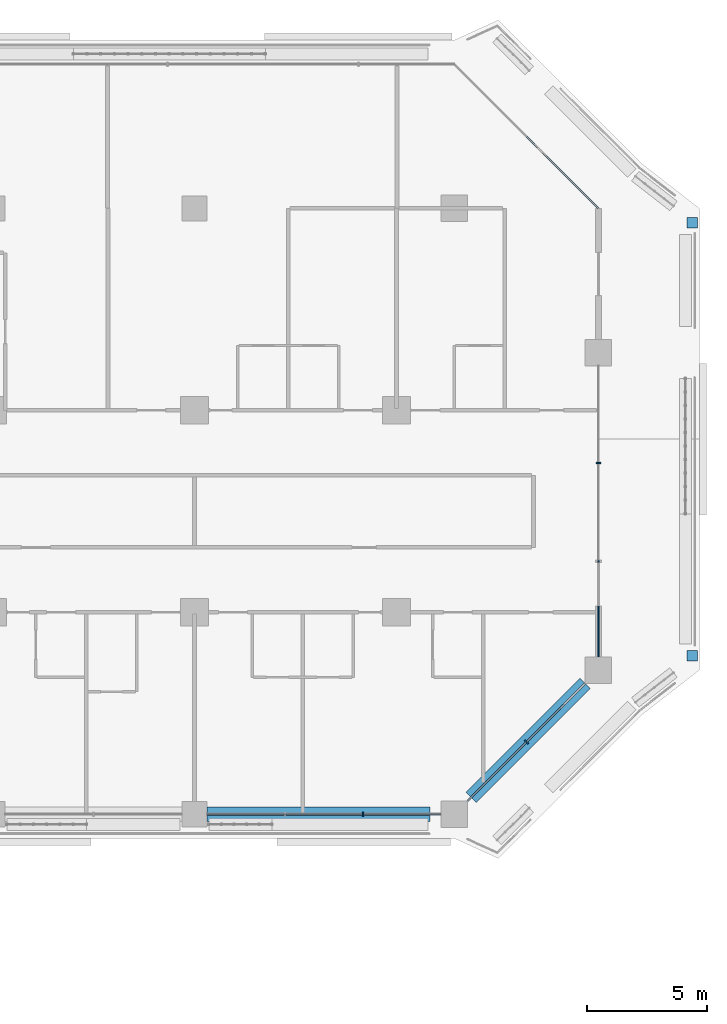
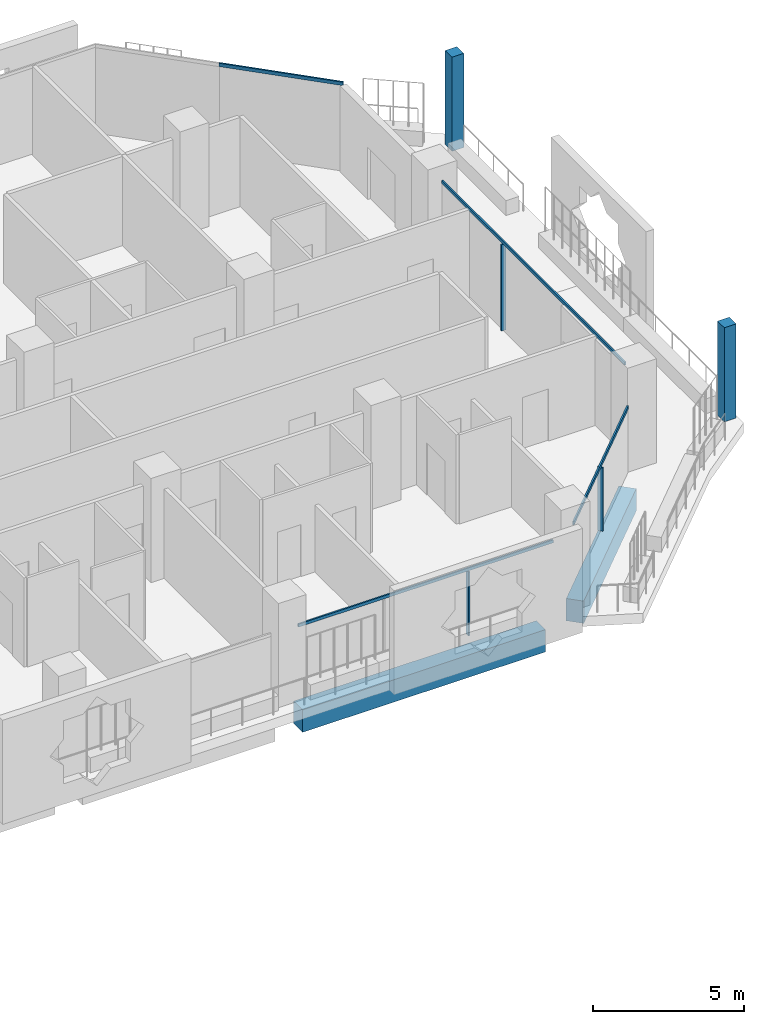
# One storey, part 7 of 26: 9 members, 2 beams, 5 elements without a shape of their own.
"""IFC4 building model written with IfcOpenShell, lengths in metres."""

import ifcopenshell
import ifcopenshell.guid

model = None  # the IFC model being written
_history = None  # IfcOwnerHistory: only IFC2X3 demands one
_inside = {}  # id of a spatial element -> (the spatial element, [elements in it])
_under = {}  # id of a project, library or spatial element -> (it, [spatial elements below it])
_declared = {}  # id of a project -> (the project, [libraries it declares])
_typed = {}  # id of a type object -> (the type object, [elements of that type])
_made_of = {}  # id of a material, layer set ... -> (it, [elements and type objects made of it])


def new_model(schema):
    """Start an empty IFC model of exactly this schema.

    Asked for "IFC4X3", IfcOpenShell would pick the latest addendum, in which some entities
    have other attributes; the version numbers below select the first issue.
    IFC2X3 requires an IfcOwnerHistory on every rooted entity: one is made here for all.
    """
    global model, _history
    if schema == "IFC4X3":
        model = ifcopenshell.file(schema_version=(4, 3, 0, 0))
    else:
        model = ifcopenshell.file(schema=schema)
    _inside.clear()
    _under.clear()
    _declared.clear()
    _typed.clear()
    _made_of.clear()
    _history = None
    if model.schema == "IFC2X3":
        org = make("IfcOrganization", Name="unknown")
        user = make(
            "IfcPersonAndOrganization",
            ThePerson=make("IfcPerson", FamilyName="unknown"),
            TheOrganization=org,
        )
        app = make(
            "IfcApplication",
            ApplicationDeveloper=org,
            Version="unknown",
            ApplicationFullName="unknown",
            ApplicationIdentifier="unknown",
        )
        _history = make(
            "IfcOwnerHistory",
            OwningUser=user,
            OwningApplication=app,
            ChangeAction="ADDED",
            CreationDate=0,
        )
    return model


def make(cls, **values):
    """One entity of the class cls with the attributes given. An attribute that is None is left unset."""
    return model.create_entity(
        cls, **{name: value for name, value in values.items() if value is not None}
    )


def rooted(cls, **values):
    """An entity with a GlobalId (a new one), such as an element, a storey or a relation."""
    return make(cls, GlobalId=ifcopenshell.guid.new(), OwnerHistory=_history, **values)


def si_unit(unit_type, name, prefix=None):
    """IfcSIUnit, for example si_unit("LENGTHUNIT", "METRE", prefix="MILLI")."""
    return make("IfcSIUnit", UnitType=unit_type, Prefix=prefix, Name=name)


def assignment(units):
    """IfcUnitAssignment: the units of a project."""
    return None if units is None else make("IfcUnitAssignment", Units=units)


def point(xyz):
    """IfcCartesianPoint."""
    return None if xyz is None else make("IfcCartesianPoint", Coordinates=xyz)


def direction(xyz):
    """IfcDirection."""
    return None if xyz is None else make("IfcDirection", DirectionRatios=xyz)


def frame(location, z_axis=None, x_axis=None):
    """IfcAxis2Placement3D, a coordinate frame: its origin and axes. An axis left out is left unset."""
    return make(
        "IfcAxis2Placement3D",
        Location=point(location),
        Axis=direction(z_axis),
        RefDirection=direction(x_axis),
    )


def frame_2d(location, x_axis=None):
    """IfcAxis2Placement2D, a coordinate frame in the plane: its origin and x axis."""
    return make(
        "IfcAxis2Placement2D", Location=point(location), RefDirection=direction(x_axis)
    )


def origin():
    """The frame at (0, 0, 0) with its axes left unset."""
    return frame((0.0, 0.0, 0.0))


def origin_2d():
    """The frame at (0, 0) in the plane with its x axis left unset."""
    return frame_2d((0.0, 0.0))


def place(relative_to, where):
    """IfcLocalPlacement: puts the frame where relative to a parent placement (None: the world)."""
    return make(
        "IfcLocalPlacement", PlacementRelTo=relative_to, RelativePlacement=where
    )


def context(
    kind, dimensions, precision=None, world=None, true_north=None, identifier=None
):
    """IfcGeometricRepresentationContext, for example the 3D "Model" context."""
    return make(
        "IfcGeometricRepresentationContext",
        ContextIdentifier=identifier,
        ContextType=kind,
        CoordinateSpaceDimension=dimensions,
        Precision=precision,
        WorldCoordinateSystem=world,
        TrueNorth=true_north,
    )


def subcontext(parent, identifier, kind, view, scale=None):
    """IfcGeometricRepresentationSubContext, for example "Body" below "Model"."""
    return make(
        "IfcGeometricRepresentationSubContext",
        ContextIdentifier=identifier,
        ContextType=kind,
        ParentContext=parent,
        TargetScale=scale,
        TargetView=view,
    )


def project(units=None, contexts=None):
    """IfcProject with its units and contexts."""
    return rooted(
        "IfcProject",
        Name="project",
        RepresentationContexts=contexts,
        UnitsInContext=assignment(units),
    )


def spatial(cls, under=None, at=None, **own):
    """A site, building, storey or space (cls), placed at a placement, below another one or the project."""
    s = rooted(cls, ObjectPlacement=at, **own)
    if under is not None:
        _under.setdefault(under.id(), (under, []))[1].append(s)
    return s


def profile(cls, at=None, kind="AREA", **sizes):
    """A parametric profile (cls). Its sizes go by their IFC names, for example OverallWidth=200.0."""
    return make(cls, ProfileType=kind, Position=at, **sizes)


def rectangle(**sizes):
    """IfcRectangleProfileDef."""
    return profile("IfcRectangleProfileDef", **sizes)


def extrude(swept, where, along, depth):
    """IfcExtrudedAreaSolid: the profile swept, set in the frame where, extruded along a direction by depth."""
    return make(
        "IfcExtrudedAreaSolid",
        SweptArea=swept,
        Position=where,
        ExtrudedDirection=direction(along),
        Depth=depth,
    )


def shape(context_of_items, identifier, shape_type, items):
    """IfcShapeRepresentation: the items that make up one representation, for example the "Body"."""
    return make(
        "IfcShapeRepresentation",
        ContextOfItems=context_of_items,
        RepresentationIdentifier=identifier,
        RepresentationType=shape_type,
        Items=items,
    )


def material(Name=None, Category=None):
    """IfcMaterial."""
    return make("IfcMaterial", Name=Name, Category=Category)


def layer(
    of_material, thickness, ventilated=None, Name=None, Category=None, Priority=None
):
    """IfcMaterialLayer: one layer of a wall or slab, of a material (None: an air gap)."""
    return make(
        "IfcMaterialLayer",
        Material=of_material,
        LayerThickness=thickness,
        IsVentilated=ventilated,
        Name=Name,
        Category=Category,
        Priority=Priority,
    )


def layer_set(layers, Name=None):
    """IfcMaterialLayerSet."""
    return make("IfcMaterialLayerSet", MaterialLayers=layers, LayerSetName=Name)


def material_profile(
    of_material, cross_section, Name=None, Category=None, Priority=None
):
    """IfcMaterialProfile: a cross section and its material."""
    return make(
        "IfcMaterialProfile",
        Name=Name,
        Material=of_material,
        Profile=cross_section,
        Priority=Priority,
        Category=Category,
    )


def profile_set(profiles, Name=None, composite=None):
    """IfcMaterialProfileSet."""
    return make(
        "IfcMaterialProfileSet",
        Name=Name,
        MaterialProfiles=profiles,
        CompositeProfile=composite,
    )


def made_of(thing, what):
    """Note that an element or type object is made of a material, layer set ...; save() writes the relation."""
    if what is not None:
        _made_of.setdefault(what.id(), (what, []))[1].append(thing)
    return thing


def type_object(cls, material=None, **own):
    """A type object (cls), such as IfcWallType, which elements share."""
    return made_of(rooted(cls, **own), material)


def element(
    cls,
    number,
    at=None,
    inside=None,
    cuts=None,
    type_object=None,
    material=None,
    context=None,
    identifier="Body",
    shape_type=None,
    held_by="IfcProductDefinitionShape",
    body=None,
    shapes=None,
    **own,
):
    """One element of the class cls, such as IfcWall. Its Tag is "e" and its number.

    at: its placement. inside: the storey or other place that contains it. cuts: it is an
    opening in that element (IfcRelVoidsElement). A single representation is given by context,
    identifier, shape_type and body (its items); several are given by shapes. held_by: the class
    of the entity that holds the representations. save() writes the other relations.
    """
    e = rooted(cls, Tag="e%d" % number, ObjectPlacement=at, **own)
    if body is not None:
        shapes = [shape(context, identifier, shape_type, body)]
    if shapes is not None:
        e.Representation = make(held_by, Representations=shapes)
    if inside is not None:
        _inside.setdefault(inside.id(), (inside, []))[1].append(e)
    if cuts is not None:
        rooted(
            "IfcRelVoidsElement", RelatingBuildingElement=cuts, RelatedOpeningElement=e
        )
    if type_object is not None:
        _typed.setdefault(type_object.id(), (type_object, []))[1].append(e)
    return made_of(e, material)


def aggregate(whole, parts):
    """IfcRelAggregates: a whole, such as a stair, and the parts it consists of."""
    return rooted("IfcRelAggregates", RelatingObject=whole, RelatedObjects=parts)


def save(model, path):
    """Write the relations noted so far, then the file.

    IfcRelAggregates (storeys below a building ...), IfcRelContainedInSpatialStructure (elements
    in a storey), IfcRelDefinesByType, IfcRelAssociatesMaterial and IfcRelDeclares: one each for
    every whole, place, type object, material and project.
    """
    for whole, parts in _under.values():
        aggregate(whole, parts)
    for where, things in _inside.values():
        rooted(
            "IfcRelContainedInSpatialStructure",
            RelatedElements=things,
            RelatingStructure=where,
        )
    for kind, things in _typed.values():
        rooted("IfcRelDefinesByType", RelatedObjects=things, RelatingType=kind)
    for what, things in _made_of.values():
        rooted("IfcRelAssociatesMaterial", RelatedObjects=things, RelatingMaterial=what)
    for by, libraries in _declared.values():
        rooted("IfcRelDeclares", RelatingContext=by, RelatedDefinitions=libraries)
    model.write(path)


model = new_model("IFC4")

# Units and contexts
model_context = context("Model", 3, precision=1e-05, world=origin(), true_north=direction((0.0, 1.0)))
body_context = subcontext(model_context, "Body", "Model", "MODEL_VIEW")
ifc_project = project(units=[si_unit("LENGTHUNIT", "METRE"), si_unit("AREAUNIT", "SQUARE_METRE"), si_unit("VOLUMEUNIT", "CUBIC_METRE"), si_unit("PLANEANGLEUNIT", "RADIAN"), si_unit("MASSUNIT", "GRAM", prefix="KILO")], contexts=[model_context])

# Site, building, storey
site_placement = place(None, origin())
site = spatial("IfcSite", under=ifc_project, at=site_placement, CompositionType="ELEMENT")
building_placement = place(site_placement, origin())
building = spatial("IfcBuilding", under=site, at=building_placement, Name="Kawkab Arch Medical Tower", CompositionType="ELEMENT")
storey_placement = place(building_placement, frame((0.0, 0.0, 119.800048828125)))
storey = spatial("IfcBuildingStorey", under=building, at=storey_placement, Name="L27", CompositionType="ELEMENT", Elevation=119.800048828125)

# Curtain wall, member
ifc_material_1 = material(Name="Bronze anodised aluminium curtain wall frame", Category="aluminium")
ifc_layer_1 = layer(ifc_material_1, 0.159912109375)
ifc_layer_set_1 = layer_set([ifc_layer_1], Name="Bronze anodised aluminium curtain wall frame")
curtain_wall_type_1 = type_object("IfcCurtainWallType", Name="CW1 ward curtain wall", PredefinedType="NOTDEFINED", material=ifc_layer_set_1)
placement = place(storey_placement, origin())
curtain_wall_1 = element("IfcCurtainWall", 1, at=placement, inside=storey, type_object=curtain_wall_type_1, Name="CW1 Ward curtain wall R07", PredefinedType="NOTDEFINED")
ifc_material_2 = material(Name="Bronze anodised aluminium curtain wall frame", Category="aluminium")
ifc_material_profile_1 = material_profile(ifc_material_2, rectangle(XDim=0.179931640625, YDim=0.06005859375, at=origin_2d()), Name="AL 60x180")
ifc_profile_set_1 = profile_set([ifc_material_profile_1], Name="Bronze anodised aluminium curtain wall frame")
member_type_1 = type_object("IfcMemberType", Name="CW1 mullion 60 x 180", PredefinedType="MULLION", material=ifc_profile_set_1)
member_1_placement = place(storey_placement, frame((65.808349609375, -25.199951171875, 0.0), z_axis=(0.0, 0.0, 1.0), x_axis=(0.0, 1.0, 0.0)))
member_1 = element("IfcMember", 2, at=member_1_placement, type_object=member_type_1, Name="CW1 mullion 4.2", PredefinedType="MULLION", context=body_context, shape_type="SweptSolid", body=[
    extrude(rectangle(XDim=0.179931640625, YDim=0.06005859375, at=origin_2d()), origin(), (0.0, 0.0, 1.0), 2.579833984375),
])

curtain_wall_2 = element("IfcCurtainWall", 3, at=placement, inside=storey, type_object=curtain_wall_type_1, Name="CW1 Ward curtain wall R09", PredefinedType="NOTDEFINED")
member_2_placement = place(storey_placement, frame((75.60009765625, -10.583251953125, 0.0), z_axis=(0.0, 0.0, 1.0), x_axis=(-1.0, 0.0, 0.0)))
member_2 = element("IfcMember", 4, at=member_2_placement, type_object=member_type_1, Name="CW1 mullion 1.2", PredefinedType="MULLION", context=body_context, shape_type="SweptSolid", body=[
    extrude(rectangle(XDim=0.179931640625, YDim=0.06005859375, at=origin_2d()), origin(), (0.0, 0.0, 1.0), 3.47998046875),
])

# Member
ifc_material_3 = material(Name="Bronze anodised aluminium curtain wall frame", Category="aluminium")
ifc_material_profile_2 = material_profile(ifc_material_3, rectangle(XDim=0.06005859375, YDim=0.1201171875, at=origin_2d()), Name="AL 60x120")
ifc_profile_set_2 = profile_set([ifc_material_profile_2], Name="Bronze anodised aluminium curtain wall frame")
member_type_2 = type_object("IfcMemberType", Name="CW1 transom 120 x 60", PredefinedType="USERDEFINED", material=ifc_profile_set_2)
member_3_placement = place(storey_placement, frame((59.324951171875, -25.199951171875, 2.639892578125), z_axis=(1.0, 0.0, 0.0), x_axis=(0.0, 1.0, 0.0)))
member_3 = element("IfcMember", 5, at=member_3_placement, type_object=member_type_2, Name="CW1 transom 4", ObjectType="TRANSOM", PredefinedType="USERDEFINED", context=body_context, shape_type="SweptSolid", body=[
    extrude(rectangle(XDim=0.06005859375, YDim=0.1201171875, at=origin_2d()), origin(), (0.0, 0.0, 1.0), 9.72509765625),
])

aggregate(curtain_wall_1, [member_3, member_1])

member_4_placement = place(storey_placement, frame((75.60009765625, -18.64990234375, 3.5400390625), z_axis=(0.0, 1.0, 0.0), x_axis=(-1.0, 0.0, 0.0)))
member_4 = element("IfcMember", 6, at=member_4_placement, type_object=member_type_2, Name="CW1 transom 1", ObjectType="TRANSOM", PredefinedType="USERDEFINED", context=body_context, shape_type="SweptSolid", body=[
    extrude(rectangle(XDim=0.06005859375, YDim=0.1201171875, at=origin_2d()), origin(), (0.0, 0.0, 1.0), 12.099853515625),
])

aggregate(curtain_wall_2, [member_4, member_2])

# Curtain wall, members
ifc_material_4 = material(Name="Bronze anodised aluminium curtain wall frame", Category="aluminium")
ifc_layer_2 = layer(ifc_material_4, 0.159912109375)
ifc_layer_set_2 = layer_set([ifc_layer_2], Name="Bronze anodised aluminium curtain wall frame")
curtain_wall_type_2 = type_object("IfcCurtainWallType", Name="CW2 chamfer curtain wall", PredefinedType="NOTDEFINED", material=ifc_layer_set_2)
curtain_wall_3 = element("IfcCurtainWall", 7, at=placement, inside=storey, type_object=curtain_wall_type_2, Name="CW2 Chamfer curtain wall R08", PredefinedType="NOTDEFINED")
ifc_material_5 = material(Name="Bronze anodised aluminium curtain wall frame", Category="aluminium")
ifc_material_profile_3 = material_profile(ifc_material_5, rectangle(XDim=0.199951171875, YDim=0.06005859375, at=origin_2d()), Name="AL 60x200")
ifc_profile_set_3 = profile_set([ifc_material_profile_3], Name="Bronze anodised aluminium curtain wall frame")
member_type_3 = type_object("IfcMemberType", Name="CW2 mullion 60 x 200", PredefinedType="MULLION", material=ifc_profile_set_3)
member_5_placement = place(storey_placement, frame((72.60009765625, -22.199951171875, 0.0), z_axis=(0.0, 0.0, 1.0), x_axis=(-0.707106781187, 0.707106781187, 0.0)))
member_5 = element("IfcMember", 8, at=member_5_placement, type_object=member_type_3, Name="CW2 mullion 1.1", PredefinedType="MULLION", context=body_context, shape_type="SweptSolid", body=[
    extrude(rectangle(XDim=0.199951171875, YDim=0.06005859375, at=origin_2d()), origin(), (0.0, 0.0, 1.0), 2.56005859375),
])
ifc_material_6 = material(Name="Bronze anodised aluminium curtain wall frame", Category="aluminium")
ifc_material_profile_4 = material_profile(ifc_material_6, rectangle(XDim=0.06005859375, YDim=0.139892578125, at=origin_2d()), Name="AL 60x140")
ifc_profile_set_4 = profile_set([ifc_material_profile_4], Name="Bronze anodised aluminium curtain wall frame")
member_type_4 = type_object("IfcMemberType", Name="CW2 transom 140 x 60", PredefinedType="USERDEFINED", material=ifc_profile_set_4)
member_6_placement = place(storey_placement, frame((70.14990234375, -24.64990234375, 2.6298828125), z_axis=(0.707124396542, 0.707089165393, 0.0), x_axis=(-0.707089165393, 0.707124396542, 0.0)))
member_6 = element("IfcMember", 9, at=member_6_placement, type_object=member_type_4, Name="CW2 transom 1", ObjectType="TRANSOM", PredefinedType="USERDEFINED", context=body_context, shape_type="SweptSolid", body=[
    extrude(rectangle(XDim=0.06005859375, YDim=0.139892578125, at=origin_2d()), origin(), (0.0, 0.0, 1.0), 6.9296875),
])
aggregate(curtain_wall_3, [member_6, member_5])

# Curtain wall, member
curtain_wall_4 = element("IfcCurtainWall", 10, at=placement, inside=storey, type_object=curtain_wall_type_2, Name="CW2 Chamfer curtain wall R10", PredefinedType="NOTDEFINED")
member_7_placement = place(storey_placement, frame((75.60009765625, 0.0, 3.530029296875), z_axis=(-0.707106781187, 0.707106781187, 0.0), x_axis=(-0.707106781187, -0.707106781187, 0.0)))
member_7 = element("IfcMember", 11, at=member_7_placement, type_object=member_type_4, Name="CW2 transom 1", ObjectType="TRANSOM", PredefinedType="USERDEFINED", context=body_context, shape_type="SweptSolid", body=[
    extrude(rectangle(XDim=0.06005859375, YDim=0.139892578125, at=origin_2d()), origin(), (0.0, 0.0, 1.0), 4.24267578125),
])
aggregate(curtain_wall_4, [member_7])

# Curtain wall, members
ifc_material_7 = material(Name="Bronze anodised aluminium climber frame, planted", Category="aluminium")
ifc_layer_3 = layer(ifc_material_7, 0.449951171875)
ifc_layer_set_3 = layer_set([ifc_layer_3], Name="Bronze anodised aluminium climber frame, planted")
curtain_wall_type_3 = type_object("IfcCurtainWallType", Name="Planted climber frame", PredefinedType="NOTDEFINED", material=ifc_layer_set_3)
curtain_wall_5 = element("IfcCurtainWall", 12, at=placement, inside=storey, type_object=curtain_wall_type_3, Name="Planted climber frame L27", PredefinedType="NOTDEFINED")
ifc_material_8 = material(Name="Bronze anodised aluminium climber frame, planted", Category="aluminium")
ifc_material_profile_5 = material_profile(ifc_material_8, rectangle(XDim=0.449951171875, YDim=0.449951171875, at=origin_2d()), Name="Post 450x450")
ifc_profile_set_5 = profile_set([ifc_material_profile_5], Name="Bronze anodised aluminium climber frame, planted")
member_type_5 = type_object("IfcMemberType", Name="Planted climber post 450 x 450", PredefinedType="MULLION", material=ifc_profile_set_5)
member_8_placement = place(storey_placement, frame((79.5, -0.596923828125, 0.0), z_axis=(0.0, 0.0, 1.0), x_axis=(1.0, 0.0, 0.0)))
member_8 = element("IfcMember", 13, at=member_8_placement, type_object=member_type_5, Name="Planted climber post L27.LOG-01-01.3", PredefinedType="MULLION", context=body_context, shape_type="SweptSolid", body=[
    extrude(rectangle(XDim=0.449951171875, YDim=0.449951171875, at=origin_2d()), origin(), (0.0, 0.0, 1.0), 3.800048828125),
])
member_9_placement = place(storey_placement, frame((79.5, -18.60302734375, 0.0), z_axis=(0.0, 0.0, 1.0), x_axis=(1.0, 0.0, 0.0)))
member_9 = element("IfcMember", 14, at=member_9_placement, type_object=member_type_5, Name="Planted climber post L27.LOG-01-01.4", PredefinedType="MULLION", context=body_context, shape_type="SweptSolid", body=[
    extrude(rectangle(XDim=0.449951171875, YDim=0.449951171875, at=origin_2d()), origin(), (0.0, 0.0, 1.0), 3.800048828125),
])
aggregate(curtain_wall_5, [member_8, member_9])

# Beams
ifc_material_9 = material(Name="Concrete C55/67", Category="concrete")
ifc_material_profile_6 = material_profile(ifc_material_9, rectangle(XDim=0.60009765625, YDim=0.89990234375, at=origin_2d()), Name="RC 600x900")
ifc_profile_set_6 = profile_set([ifc_material_profile_6], Name="Concrete C55/67")
beam_type = type_object("IfcBeamType", Name="RC 600x900 beam C55/67", PredefinedType="BEAM", material=ifc_profile_set_6)
beam_1_placement = place(storey_placement, frame((75.050048828125, -19.75, -1.050048828125), z_axis=(-0.707106781187, -0.707106781187, 0.0), x_axis=(0.707106781187, -0.707106781187, 0.0)))
element("IfcBeam", 15, at=beam_1_placement, inside=storey, type_object=beam_type, Name="Overhang edge beam L27-01", PredefinedType="BEAM", context=body_context, shape_type="SweptSolid", body=[
    extrude(rectangle(XDim=0.60009765625, YDim=0.89990234375, at=origin_2d()), origin(), (0.0, 0.0, 1.0), 6.717529296875),
])
beam_2_placement = place(storey_placement, frame((68.60009765625, -25.199951171875, -1.050048828125), z_axis=(-1.0, 0.0, 0.0), x_axis=(0.0, -1.0, 0.0)))
element("IfcBeam", 16, at=beam_2_placement, inside=storey, type_object=beam_type, Name="Overhang edge beam L27-02", PredefinedType="BEAM", context=body_context, shape_type="SweptSolid", body=[
    extrude(rectangle(XDim=0.60009765625, YDim=0.89990234375, at=origin_2d()), origin(), (0.0, 0.0, 1.0), 9.275146484375),
])

save(model, "model.ifc")
